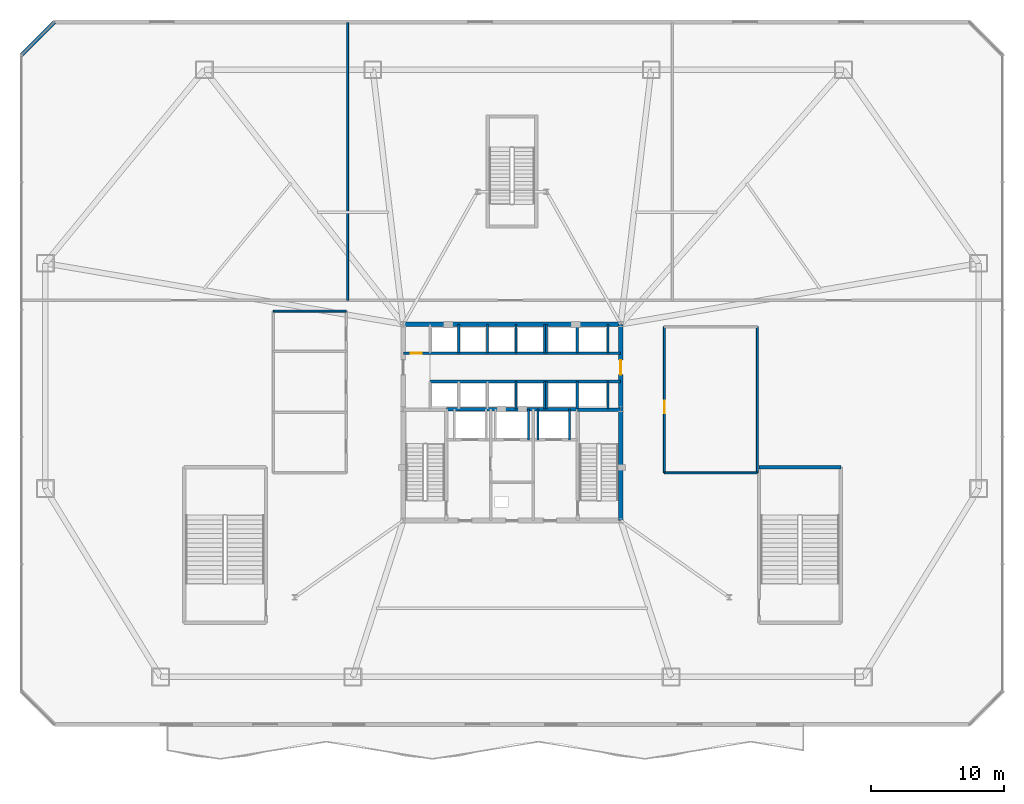
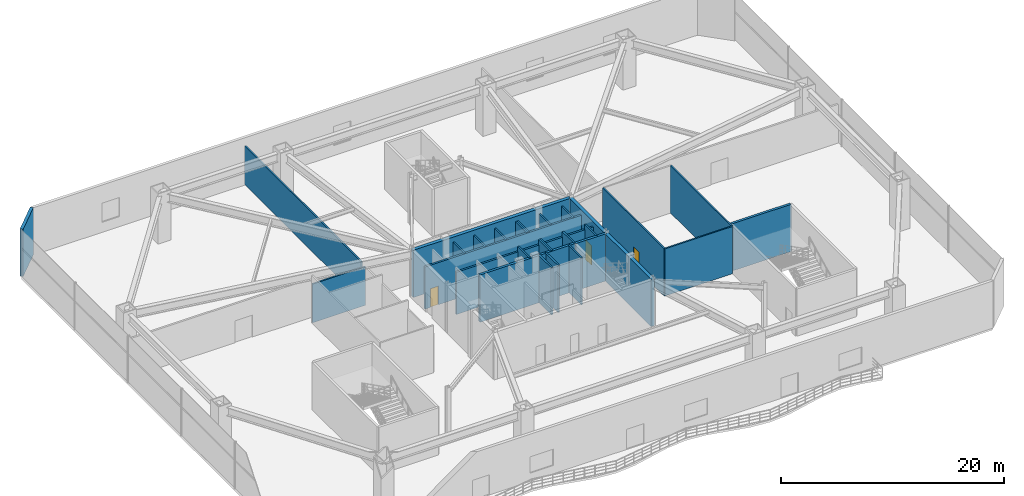
# One storey, part 14 of 20: 28 walls, 3 doors, 3 openings.
"""IFC4 building model written with IfcOpenShell, lengths in metres."""

from ifc_helpers import new_model, si_unit, direction, frame, frame_2d, origin, place, context, subcontext, project, spatial, rectangle, extrude, material, layer, layer_set, type_object, element, fill, save


model = new_model("IFC4")

# Units and contexts
model_context = context("Model", 3, precision=1e-05, world=origin(), true_north=direction((0.0, 1.0)))
body_context = subcontext(model_context, "Body", "Model", "MODEL_VIEW")
ifc_project = project(units=[si_unit("LENGTHUNIT", "METRE"), si_unit("AREAUNIT", "SQUARE_METRE"), si_unit("VOLUMEUNIT", "CUBIC_METRE"), si_unit("PLANEANGLEUNIT", "RADIAN"), si_unit("MASSUNIT", "GRAM", prefix="KILO")], contexts=[model_context])

# Site, building, storey
site_placement = place(None, origin())
site = spatial("IfcSite", under=ifc_project, at=site_placement, CompositionType="ELEMENT")
building_placement = place(site_placement, origin())
building = spatial("IfcBuilding", under=site, at=building_placement, Name="Varakhsha Concourse Tower", CompositionType="ELEMENT")
storey_placement = place(building_placement, frame((0.0, 0.0, 11.0)))
storey = spatial("IfcBuildingStorey", under=building, at=storey_placement, Name="L03", CompositionType="ELEMENT", Elevation=11.0)

# Wall
ifc_material_1 = material(Name="Concrete fc 65 MPa", Category="concrete")
ifc_layer_1 = layer(ifc_material_1, 0.35009765625, Name="WL-CORE-350")
ifc_layer_set_1 = layer_set([ifc_layer_1], Name="Concrete fc 65 MPa")
wall_type_1 = type_object("IfcWallType", Name="WL-CORE-350", PredefinedType="SHEAR", material=ifc_layer_set_1)
wall_1_placement = place(storey_placement, frame((31.800048828125, 31.199951171875, 0.0), z_axis=(0.0, 0.0, 1.0), x_axis=(1.0, 0.0, 0.0)))
element("IfcWall", 1, at=wall_1_placement, inside=storey, type_object=wall_type_1, Name="L03 Wall CWALL-N-L03", PredefinedType="SHEAR", context=body_context, shape_type="SweptSolid", body=[
    extrude(rectangle(XDim=16.39990234375, YDim=0.35009765625, at=frame_2d((8.199951171875, 0.0))), origin(), (0.0, 0.0, 1.0), 5.179931640625),
])

# Wall, opening, door
wall_2_placement = place(storey_placement, frame((48.199951171875, 16.39990234375, 0.0), z_axis=(0.0, 0.0, 1.0), x_axis=(0.0, 1.0, 0.0)))
wall_2 = element("IfcWall", 2, at=wall_2_placement, inside=storey, type_object=wall_type_1, Name="L03 Wall CWALL-E-L03", PredefinedType="SHEAR", context=body_context, shape_type="SweptSolid", body=[
    extrude(rectangle(XDim=14.800048828125, YDim=0.35009765625, at=frame_2d((7.39990234375, 0.0))), origin(), (0.0, 0.0, 1.0), 5.179931640625),
])
opening_1_placement = place(wall_2_placement, frame((11.0, 0.0, 0.0)))
opening_1 = element("IfcOpeningElement", 3, at=opening_1_placement, cuts=wall_2, Name="Opening DL-01", PredefinedType="OPENING", context=body_context, shape_type="SweptSolid", body=[
    extrude(rectangle(XDim=1.10009765625, YDim=2.14990234375, at=frame_2d((0.550048828125, 1.074951171875))), frame((0.0, 0.18505859375, 0.0), z_axis=(0.0, -1.0, 0.0), x_axis=(1.0, 0.0, 0.0)), (0.0, 0.0, 1.0), 0.3701171875),
])
ifc_material_2 = material(Name="Anodised Bronze Architectural Aluminium AA 6063-T6", Category="aluminium")
door_type_1 = type_object("IfcDoorType", Name="DR-LOB-1100", OperationType="NOTDEFINED", PredefinedType="DOOR", material=ifc_material_2)
door_1_placement = place(opening_1_placement, origin())
door_1 = element("IfcDoor", 4, at=door_1_placement, inside=storey, type_object=door_type_1, Name="L03 Lift Lobby East Concourse Door", OperationType="SINGLE_SWING_RIGHT", OverallHeight=2.14990234375, OverallWidth=1.10009765625, PredefinedType="DOOR", context=body_context, shape_type="SweptSolid", body=[
    extrude(rectangle(XDim=1.10009765625, YDim=2.14990234375, at=frame_2d((0.550048828125, 1.074951171875))), frame((0.0, 0.02490234375, 0.0), z_axis=(0.0, -1.0, 0.0), x_axis=(1.0, 0.0, 0.0)), (0.0, 0.0, 1.0), 0.050048828125),
])
fill(opening_1, door_1)

# Walls
ifc_material_3 = material(Name="Concrete fc 45 MPa", Category="concrete")
ifc_layer_2 = layer(ifc_material_3, 0.300048828125, Name="WL-EXT-POD-300")
ifc_layer_set_2 = layer_set([ifc_layer_2], Name="Concrete fc 45 MPa")
wall_type_2 = type_object("IfcWallType", Name="WL-EXT-POD-300", PredefinedType="STANDARD", material=ifc_layer_set_2)
wall_3_placement = place(storey_placement, frame((5.5, 54.0, 0.0), z_axis=(0.0, 0.0, 1.0), x_axis=(-0.707106781187, -0.707106781187, 0.0)))
element("IfcWall", 5, at=wall_3_placement, inside=storey, type_object=wall_type_2, Name="L03 Podium Chamfer Wall 5", PredefinedType="STANDARD", context=body_context, shape_type="SweptSolid", body=[
    extrude(rectangle(XDim=3.53564453125, YDim=0.300048828125, at=frame_2d((1.767822265625, 0.0))), origin(), (0.0, 0.0, 1.0), 5.179931640625),
])
ifc_material_4 = material(Name="Cold-Formed Steel ASTM A653 Grade 50 Acoustic Operable Partition", Category="steel")
ifc_layer_3 = layer(ifc_material_4, 0.14990234375, Name="WL-MOVABLE-150")
ifc_layer_set_3 = layer_set([ifc_layer_3], Name="Cold-Formed Steel ASTM A653 Grade 50 Acoustic Operable Partition")
wall_type_3 = type_object("IfcWallType", Name="WL-MOVABLE-150", PredefinedType="MOVABLE", material=ifc_layer_set_3)
wall_4_placement = place(storey_placement, frame((27.60009765625, 33.0, 0.0), z_axis=(0.0, 0.0, 1.0), x_axis=(0.0, 1.0, 0.0)))
element("IfcWall", 6, at=wall_4_placement, inside=storey, type_object=wall_type_3, Name="L03 Wall L03W-MOV-1", PredefinedType="MOVABLE", context=body_context, shape_type="SweptSolid", body=[
    extrude(rectangle(XDim=20.9599609375, YDim=0.14990234375, at=frame_2d((10.47998046875, 0.0))), origin(), (0.0, 0.0, 1.0), 4.242919921875),
])
ifc_material_5 = material(Name="Fire-Rated Type X Gypsum Partition Assembly", Category="gypsum")
ifc_layer_4 = layer(ifc_material_5, 0.14990234375, Name="WL-PART-150")
ifc_layer_set_4 = layer_set([ifc_layer_4], Name="Fire-Rated Type X Gypsum Partition Assembly")
wall_type_4 = type_object("IfcWallType", Name="WL-PART-150", PredefinedType="PARTITIONING", material=ifc_layer_set_4)
wall_5_placement = place(storey_placement, frame((22.0, 32.199951171875, 0.0), z_axis=(0.0, 0.0, 1.0), x_axis=(1.0, 0.0, 0.0)))
element("IfcWall", 7, at=wall_5_placement, inside=storey, type_object=wall_type_4, Name="L03 Wall L03W-WCN", PredefinedType="PARTITIONING", context=body_context, shape_type="SweptSolid", body=[
    extrude(rectangle(XDim=5.5, YDim=0.14990234375, at=frame_2d((2.75, 0.0))), origin(), (0.0, 0.0, 1.0), 4.242919921875),
])

# Wall, opening, door
wall_6_placement = place(storey_placement, frame((51.5, 20.0, 0.0), z_axis=(0.0, 0.0, 1.0), x_axis=(0.0, 1.0, 0.0)))
wall_6 = element("IfcWall", 8, at=wall_6_placement, inside=storey, type_object=wall_type_4, Name="L03 Wall L03W-SUPE", PredefinedType="PARTITIONING", context=body_context, shape_type="SweptSolid", body=[
    extrude(rectangle(XDim=11.0, YDim=0.14990234375, at=frame_2d((5.5, 0.0))), origin(), (0.0, 0.0, 1.0), 5.179931640625),
])
opening_2_placement = place(wall_6_placement, frame((4.5, 0.0, 0.0)))
opening_2 = element("IfcOpeningElement", 9, at=opening_2_placement, cuts=wall_6, Name="Opening DF-05", PredefinedType="OPENING", context=body_context, shape_type="SweptSolid", body=[
    extrude(rectangle(XDim=0.949951171875, YDim=2.10009765625, at=frame_2d((0.47509765625, 1.050048828125))), frame((0.0, 0.0849609375, 0.0), z_axis=(0.0, -1.0, 0.0), x_axis=(1.0, 0.0, 0.0)), (0.0, 0.0, 1.0), 0.169921875),
])
ifc_material_6 = material(Name="Hollow Galvanised Steel Fire Door Assembly", Category="steel")
door_type_2 = type_object("IfcDoorType", Name="DR-FD60-950", OperationType="NOTDEFINED", PredefinedType="DOOR", material=ifc_material_6)
door_2_placement = place(opening_2_placement, origin())
door_2 = element("IfcDoor", 10, at=door_2_placement, inside=storey, type_object=door_type_2, Name="L03 Exhibition Rigging and Chair Store Door", OperationType="SINGLE_SWING_LEFT", OverallHeight=2.10009765625, OverallWidth=0.949951171875, PredefinedType="DOOR", context=body_context, shape_type="SweptSolid", body=[
    extrude(rectangle(XDim=0.949951171875, YDim=2.10009765625, at=frame_2d((0.47509765625, 1.050048828125))), frame((0.0, 0.02490234375, 0.0), z_axis=(0.0, -1.0, 0.0), x_axis=(1.0, 0.0, 0.0)), (0.0, 0.0, 1.0), 0.050048828125),
])
fill(opening_2, door_2)

# Walls
wall_7_placement = place(storey_placement, frame((58.5, 20.0, 0.0), z_axis=(0.0, 0.0, 1.0), x_axis=(0.0, 1.0, 0.0)))
element("IfcWall", 11, at=wall_7_placement, inside=storey, type_object=wall_type_4, Name="L03 Wall L03W-SUPR", PredefinedType="PARTITIONING", context=body_context, shape_type="SweptSolid", body=[
    extrude(rectangle(XDim=11.0, YDim=0.14990234375, at=frame_2d((5.5, 0.0))), origin(), (0.0, 0.0, 1.0), 5.179931640625),
])
wall_8_placement = place(storey_placement, frame((51.5, 20.0, 0.0), z_axis=(0.0, 0.0, 1.0), x_axis=(1.0, 0.0, 0.0)))
element("IfcWall", 12, at=wall_8_placement, inside=storey, type_object=wall_type_4, Name="L03 Wall L03W-SUPS", PredefinedType="PARTITIONING", context=body_context, shape_type="SweptSolid", body=[
    extrude(rectangle(XDim=7.0, YDim=0.14990234375, at=frame_2d((3.5, 0.0))), origin(), (0.0, 0.0, 1.0), 5.179931640625),
])
ifc_layer_5 = layer(ifc_material_5, 0.199951171875, Name="WL-SHAFT-220")
ifc_layer_set_5 = layer_set([ifc_layer_5], Name="Fire-Rated Type X Gypsum Partition Assembly")
wall_type_5 = type_object("IfcWallType", Name="WL-SHAFT-220", PredefinedType="SOLIDWALL", material=ifc_layer_set_5)
for number, where, z_axis, x_axis, name in (
    (13, (41.949951171875, 22.47998046875, 0.0), (0.0, 0.0, 1.0), (0.0, 1.0, 0.0), "L03 Wall SHW-FFL-2-W-L03"),
    (14, (44.35009765625, 22.47998046875, 0.0), (0.0, 0.0, 1.0), (0.0, 1.0, 0.0), "L03 Wall SHW-FFL-2-E-L03"),
    (15, (41.25, 22.47998046875, 0.0), (0.0, 0.0, 1.0), (0.0, 1.0, 0.0), "L03 Wall SHW-SVL-1-E-L03"),
):
    element("IfcWall", number, at=place(storey_placement, frame(where, z_axis=z_axis, x_axis=x_axis)), inside=storey, type_object=wall_type_5, Name=name, PredefinedType="SOLIDWALL", context=body_context, shape_type="SweptSolid", body=[
        extrude(rectangle(XDim=2.320068359375, YDim=0.159912109375, at=frame_2d((1.16015625, 0.0))), origin(), (0.0, 0.0, 1.0), 5.179931640625),
    ])

# Wall, opening, door
wall_9_placement = place(storey_placement, frame((31.800048828125, 29.02001953125, 0.0), z_axis=(0.0, 0.0, 1.0), x_axis=(1.0, 0.0, 0.0)))
wall_9 = element("IfcWall", 16, at=wall_9_placement, inside=storey, type_object=wall_type_5, Name="L03 Wall PLW-N-L03", PredefinedType="SOLIDWALL", context=body_context, shape_type="SweptSolid", body=[
    extrude(rectangle(XDim=16.39990234375, YDim=0.199951171875, at=frame_2d((8.199951171875, 0.0))), origin(), (0.0, 0.0, 1.0), 4.631103515625),
])
opening_3_placement = place(wall_9_placement, frame((0.550048828125, 0.0, 0.0)))
opening_3 = element("IfcOpeningElement", 17, at=opening_3_placement, cuts=wall_9, Name="Opening DF-07", PredefinedType="OPENING", context=body_context, shape_type="SweptSolid", body=[
    extrude(rectangle(XDim=0.85009765625, YDim=2.050048828125, at=frame_2d((0.425048828125, 1.02490234375))), frame((0.0, 0.10986328125, 0.0), z_axis=(0.0, -1.0, 0.0), x_axis=(1.0, 0.0, 0.0)), (0.0, 0.0, 1.0), 0.219970703125),
])
door_type_3 = type_object("IfcDoorType", Name="DR-FD60-850", OperationType="NOTDEFINED", PredefinedType="DOOR", material=ifc_material_6)
door_3_placement = place(opening_3_placement, origin())
door_3 = element("IfcDoor", 18, at=door_3_placement, inside=storey, type_object=door_type_3, Name="L03 Core Janitor Closet Door", OperationType="SINGLE_SWING_LEFT", OverallHeight=2.050048828125, OverallWidth=0.85009765625, PredefinedType="DOOR", context=body_context, shape_type="SweptSolid", body=[
    extrude(rectangle(XDim=0.85009765625, YDim=2.050048828125, at=frame_2d((0.425048828125, 1.02490234375))), frame((0.0, 0.02490234375, 0.0), z_axis=(0.0, -1.0, 0.0), x_axis=(1.0, 0.0, 0.0)), (0.0, 0.0, 1.0), 0.050048828125),
])
fill(opening_3, door_3)

# Walls
wall_10_placement = place(storey_placement, frame((33.820068359375, 26.8798828125, 0.0), z_axis=(0.0, 0.0, 1.0), x_axis=(1.0, 0.0, 0.0)))
element("IfcWall", 19, at=wall_10_placement, inside=storey, type_object=wall_type_5, Name="L03 Wall PLW-S-L03", PredefinedType="SOLIDWALL", context=body_context, shape_type="SweptSolid", body=[
    extrude(rectangle(XDim=14.3798828125, YDim=0.199951171875, at=frame_2d((7.18994140625, 0.0))), origin(), (0.0, 0.0, 1.0), 4.631103515625),
])
for number, where, z_axis, x_axis, name in (
    (20, (35.97998046875, 29.02001953125, 0.0), (0.0, 0.0, 1.0), (0.0, 1.0, 0.0), "L03 Wall SHW-LF-P01-E-L03"),
    (21, (38.139892578125, 29.02001953125, 0.0), (0.0, 0.0, 1.0), (0.0, 1.0, 0.0), "L03 Wall SHW-LF-P02-E-L03"),
    (22, (40.300048828125, 29.02001953125, 0.0), (0.0, 0.0, 1.0), (0.0, 1.0, 0.0), "L03 Wall SHW-LF-P03-E-L03"),
    (23, (42.4599609375, 29.02001953125, 0.0), (0.0, 0.0, 1.0), (0.0, 1.0, 0.0), "L03 Wall SHW-LF-P04-E-L03"),
):
    element("IfcWall", number, at=place(storey_placement, frame(where, z_axis=z_axis, x_axis=x_axis)), inside=storey, type_object=wall_type_5, Name=name, PredefinedType="SOLIDWALL", context=body_context, shape_type="SweptSolid", body=[
        extrude(rectangle(XDim=2.179931640625, YDim=0.159912109375, at=frame_2d((1.08984375, 0.0))), origin(), (0.0, 0.0, 1.0), 4.631103515625),
    ])
for number, where, z_axis, x_axis, name in (
    (24, (40.300048828125, 24.800048828125, 0.0), (0.0, 0.0, 1.0), (0.0, 1.0, 0.0), "L03 Wall SHW-LF-P07-E-L03"),
    (25, (42.4599609375, 24.800048828125, 0.0), (0.0, 0.0, 1.0), (0.0, 1.0, 0.0), "L03 Wall SHW-LF-P08-E-L03"),
):
    element("IfcWall", number, at=place(storey_placement, frame(where, z_axis=z_axis, x_axis=x_axis)), inside=storey, type_object=wall_type_5, Name=name, PredefinedType="SOLIDWALL", context=body_context, shape_type="SweptSolid", body=[
        extrude(rectangle(XDim=2.079833984375, YDim=0.159912109375, at=frame_2d((1.0400390625, 0.0))), origin(), (0.0, 0.0, 1.0), 5.179931640625),
    ])
for number, where, z_axis, x_axis, name in (
    (26, (42.60009765625, 29.02001953125, 0.0), (0.0, 0.0, 1.0), (0.0, 1.0, 0.0), "L03 Wall SHW-LF-P09-W-L03"),
    (27, (44.919921875, 29.02001953125, 0.0), (0.0, 0.0, 1.0), (0.0, 1.0, 0.0), "L03 Wall SHW-LF-P09-E-L03"),
    (28, (47.239990234375, 29.02001953125, 0.0), (0.0, 0.0, 1.0), (0.0, 1.0, 0.0), "L03 Wall SHW-LF-P10-E-L03"),
):
    element("IfcWall", number, at=place(storey_placement, frame(where, z_axis=z_axis, x_axis=x_axis)), inside=storey, type_object=wall_type_5, Name=name, PredefinedType="SOLIDWALL", context=body_context, shape_type="SweptSolid", body=[
        extrude(rectangle(XDim=2.179931640625, YDim=0.159912109375, at=frame_2d((1.08984375, 0.0))), origin(), (0.0, 0.0, 1.0), 4.631103515625),
    ])
for number, where, z_axis, x_axis, name in (
    (29, (42.60009765625, 24.800048828125, 0.0), (0.0, 0.0, 1.0), (0.0, 1.0, 0.0), "L03 Wall SHW-LF-P11-W-L03"),
    (30, (44.919921875, 24.800048828125, 0.0), (0.0, 0.0, 1.0), (0.0, 1.0, 0.0), "L03 Wall SHW-LF-P11-E-L03"),
    (31, (47.239990234375, 24.800048828125, 0.0), (0.0, 0.0, 1.0), (0.0, 1.0, 0.0), "L03 Wall SHW-LF-P12-E-L03"),
):
    element("IfcWall", number, at=place(storey_placement, frame(where, z_axis=z_axis, x_axis=x_axis)), inside=storey, type_object=wall_type_5, Name=name, PredefinedType="SOLIDWALL", context=body_context, shape_type="SweptSolid", body=[
        extrude(rectangle(XDim=2.079833984375, YDim=0.159912109375, at=frame_2d((1.0400390625, 0.0))), origin(), (0.0, 0.0, 1.0), 5.179931640625),
    ])
ifc_layer_6 = layer(ifc_material_3, 0.25, Name="WL-STAIR-250")
ifc_layer_set_6 = layer_set([ifc_layer_6], Name="Concrete fc 45 MPa")
wall_type_6 = type_object("IfcWallType", Name="WL-STAIR-250", PredefinedType="SHEAR", material=ifc_layer_set_6)
wall_11_placement = place(storey_placement, frame((44.955078125, 24.7548828125, 0.0), z_axis=(0.0, 0.0, 1.0), x_axis=(1.0, 0.0, 0.0)))
element("IfcWall", 32, at=wall_11_placement, inside=storey, type_object=wall_type_6, Name="L03 Wall SWALL-ST2-N-L03", PredefinedType="SHEAR", context=body_context, shape_type="SweptSolid", body=[
    extrude(rectangle(XDim=3.244873046875, YDim=0.25, at=frame_2d((1.62255859375, 0.0))), origin(), (0.0, 0.0, 1.0), 5.179931640625),
])
wall_12_placement = place(storey_placement, frame((35.044921875, 24.800048828125, 0.0), z_axis=(0.0, 0.0, 1.0), x_axis=(1.0, 0.0, 0.0)))
element("IfcWall", 33, at=wall_12_placement, inside=storey, type_object=wall_type_6, Name="L03 Wall SWALL-MID-H-L03", PredefinedType="SHEAR", context=body_context, shape_type="SweptSolid", body=[
    extrude(rectangle(XDim=9.91015625, YDim=0.25, at=frame_2d((4.955078125, 0.0))), origin(), (0.0, 0.0, 1.0), 5.179931640625),
])
wall_13_placement = place(storey_placement, frame((58.635009765625, 20.425048828125, 0.0), z_axis=(0.0, 0.0, 1.0), x_axis=(1.0, 0.0, 0.0)))
element("IfcWall", 34, at=wall_13_placement, inside=storey, type_object=wall_type_6, Name="L03 Wall ST4W-N-L03", PredefinedType="SHEAR", context=body_context, shape_type="SweptSolid", body=[
    extrude(rectangle(XDim=6.169921875, YDim=0.25, at=frame_2d((3.0849609375, 0.0))), origin(), (0.0, 0.0, 1.0), 5.179931640625),
])

save(model, "model.ifc")
